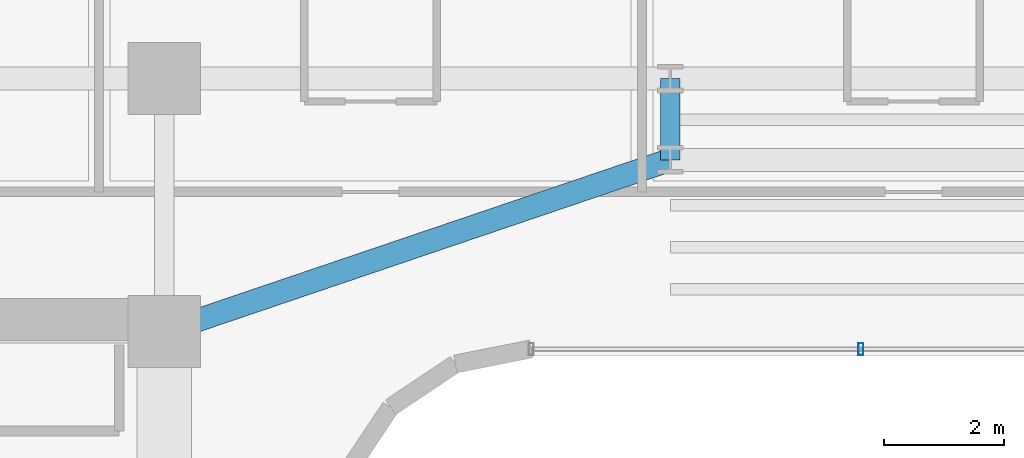
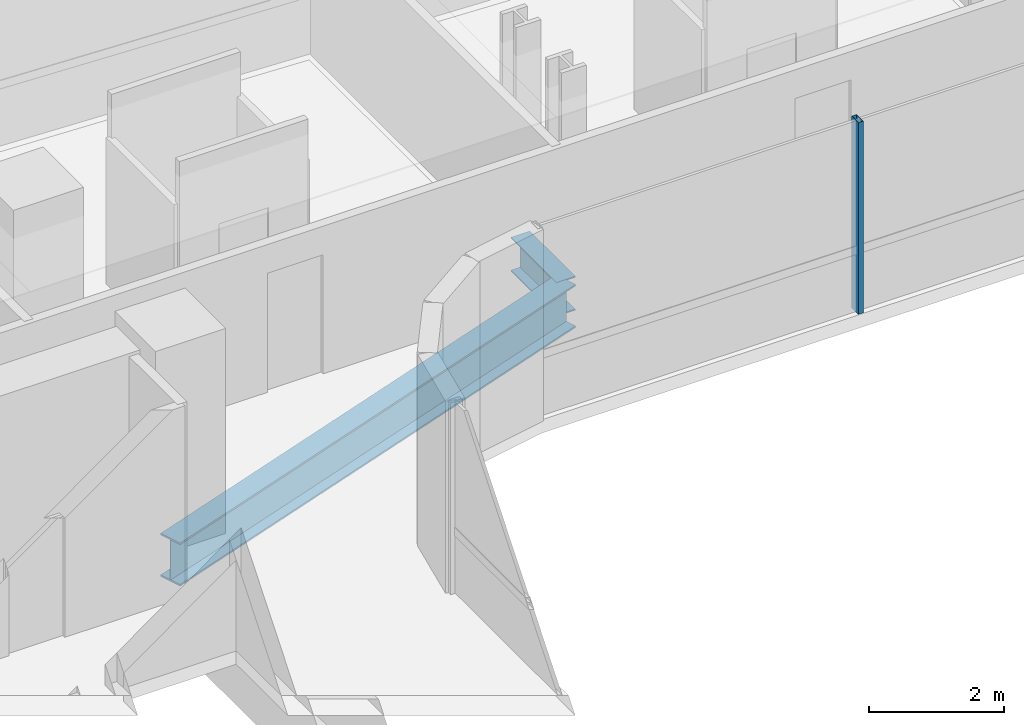
# One storey, part 10 of 35: 2 beams, 1 member, 1 element without a shape of its own.
"""IFC4 building model written with IfcOpenShell, lengths in metres."""

from ifc_helpers import new_model, si_unit, direction, frame, origin, origin_2d, place, context, subcontext, project, spatial, hollow_rectangle, i_section, extrude, source, transform, mapped, material, material_profile, profile_set, type_object, element, aggregate, save


model = new_model("IFC4")

# Units and contexts
model_context = context("Model", 3, precision=1e-05, world=origin(), true_north=direction((0.0, 1.0)))
body_context = subcontext(model_context, "Body", "Model", "MODEL_VIEW")
ifc_project = project(units=[si_unit("LENGTHUNIT", "METRE"), si_unit("AREAUNIT", "SQUARE_METRE"), si_unit("VOLUMEUNIT", "CUBIC_METRE"), si_unit("PLANEANGLEUNIT", "RADIAN"), si_unit("MASSUNIT", "GRAM", prefix="KILO")], contexts=[model_context])

# Site, building, storey
site_placement = place(None, origin())
site = spatial("IfcSite", under=ifc_project, at=site_placement, CompositionType="ELEMENT")
building_placement = place(site_placement, origin())
building = spatial("IfcBuilding", under=site, at=building_placement, Name="Valdorenza Pilgrim Sanctuary Tower", CompositionType="ELEMENT")
storey_placement = place(building_placement, frame((0.0, 0.0, 113.10009765625)))
storey = spatial("IfcBuildingStorey", under=building, at=storey_placement, Name="L28", CompositionType="ELEMENT", Elevation=113.10009765625)

# Beams
ifc_material_1 = material(Name="Steel ASTM A992 Grade 50", Category="steel")
ifc_material_profile_1 = material_profile(ifc_material_1, i_section(OverallWidth=0.323974609375, OverallDepth=0.611083984375, WebThickness=0.0126953125, FlangeThickness=0.01904296875, at=origin_2d()), Name="W24X104")
ifc_profile_set_1 = profile_set([ifc_material_profile_1], Name="Steel ASTM A992 Grade 50")
beam_type_1 = type_object("IfcBeamType", Name="STR-BM-GRD-W24B", PredefinedType="BEAM", material=ifc_profile_set_1)
shared_shape_1 = source(origin(), body_context, "Body", "SweptSolid", [
    extrude(i_section(OverallWidth=0.323974609375, OverallDepth=0.611083984375, WebThickness=0.0126953125, FlangeThickness=0.01904296875, at=origin_2d()), origin(), (0.0, 0.0, 1.0), 1.35009765625),
])
beam_1_placement = place(storey_placement, frame((-4.0, 13.449951171875, -0.545654296875), z_axis=(0.0, 1.0, 0.0), x_axis=(-1.0, 0.0, 0.0)))
element("IfcBeam", 1, at=beam_1_placement, inside=storey, type_object=beam_type_1, Name="L28 Floor Girder KNK-TIE-W", PredefinedType="BEAM", context=body_context, shape_type="MappedRepresentation", body=[
    mapped(shared_shape_1, transform((0.0, 0.0, 0.0), x_axis=(1.0, 0.0, 0.0), y_axis=(0.0, 1.0, 0.0), z_axis=(0.0, 0.0, 1.0), scale=1.0)),
])
ifc_material_profile_2 = material_profile(ifc_material_1, i_section(OverallWidth=0.382080078125, OverallDepth=0.779052734375, WebThickness=0.01806640625, FlangeThickness=0.030029296875, at=origin_2d()), Name="W30X191")
ifc_profile_set_2 = profile_set([ifc_material_profile_2], Name="Steel ASTM A992 Grade 50")
beam_type_2 = type_object("IfcBeamType", Name="STR-BM-GRD-W30", PredefinedType="BEAM", material=ifc_profile_set_2)
shared_shape_2 = source(origin(), body_context, "Body", "SweptSolid", [
    extrude(i_section(OverallWidth=0.382080078125, OverallDepth=0.779052734375, WebThickness=0.01806640625, FlangeThickness=0.030029296875, at=origin_2d()), origin(), (0.0, 0.0, 1.0), 8.8701171875),
])
beam_2_placement = place(storey_placement, frame((-12.39990234375, 10.60009765625, -0.629638671875), z_axis=(0.946982588361, 0.321284885018, 0.0), x_axis=(-0.321284885018, 0.946982588361, 0.0)))
element("IfcBeam", 2, at=beam_2_placement, inside=storey, type_object=beam_type_2, Name="L28 Floor Girder KNK-G1", PredefinedType="BEAM", context=body_context, shape_type="MappedRepresentation", body=[
    mapped(shared_shape_2, transform((0.0, 0.0, 0.0), x_axis=(1.0, 0.0, 0.0), y_axis=(0.0, 1.0, 0.0), z_axis=(0.0, 0.0, 1.0), scale=1.0)),
])

# Curtain wall, member
ifc_material_2 = material(Name="Curtain-wall IGU glazing", Category="glass")
curtain_wall_type = type_object("IfcCurtainWallType", Name="CW-SYS-02", PredefinedType="NOTDEFINED", material=ifc_material_2)
curtain_wall_placement = place(storey_placement, origin())
curtain_wall = element("IfcCurtainWall", 3, at=curtain_wall_placement, inside=storey, type_object=curtain_wall_type, Name="L28 Curtain Wall CW-L28-1-36", PredefinedType="NOTDEFINED")
ifc_material_3 = material(Name="Anodised aluminium AW-6060", Category="aluminium")
ifc_material_profile_3 = material_profile(ifc_material_3, hollow_rectangle(XDim=0.0849609375, YDim=0.199951171875, WallThickness=0.0048828125, at=origin_2d()), Name="ALU-M 200x85x5")
ifc_profile_set_3 = profile_set([ifc_material_profile_3], Name="Anodised aluminium AW-6060")
member_type = type_object("IfcMemberType", Name="CW-MUL-02", PredefinedType="MULLION", material=ifc_profile_set_3)
shared_shape_3 = source(origin(), body_context, "Body", "SweptSolid", [
    extrude(hollow_rectangle(XDim=0.0849609375, YDim=0.199951171875, WallThickness=0.0048828125, at=origin_2d()), origin(), (0.0, 0.0, 1.0), 3.4599609375),
])
member_placement = place(storey_placement, frame((-0.8369140625, 10.31005859375, 0.0), z_axis=(0.0, 0.0, 1.0), x_axis=(-1.0, 0.0, 0.0)))
member = element("IfcMember", 4, at=member_placement, type_object=member_type, Name="CW-L28-1-36 Mullion 3", PredefinedType="MULLION", context=body_context, shape_type="MappedRepresentation", body=[
    mapped(shared_shape_3, transform((0.0, 0.0, 0.0), x_axis=(1.0, 0.0, 0.0), y_axis=(0.0, 1.0, 0.0), z_axis=(0.0, 0.0, 1.0), scale=1.0)),
])
aggregate(curtain_wall, [member])

save(model, "model.ifc")
